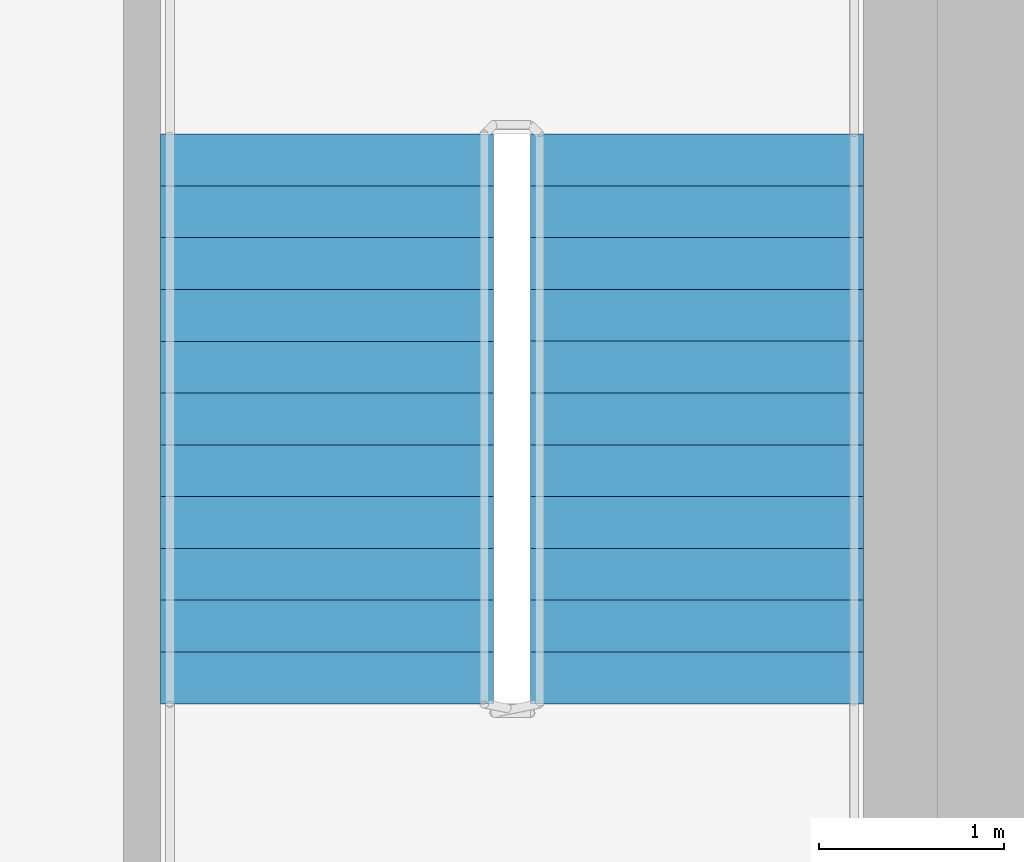
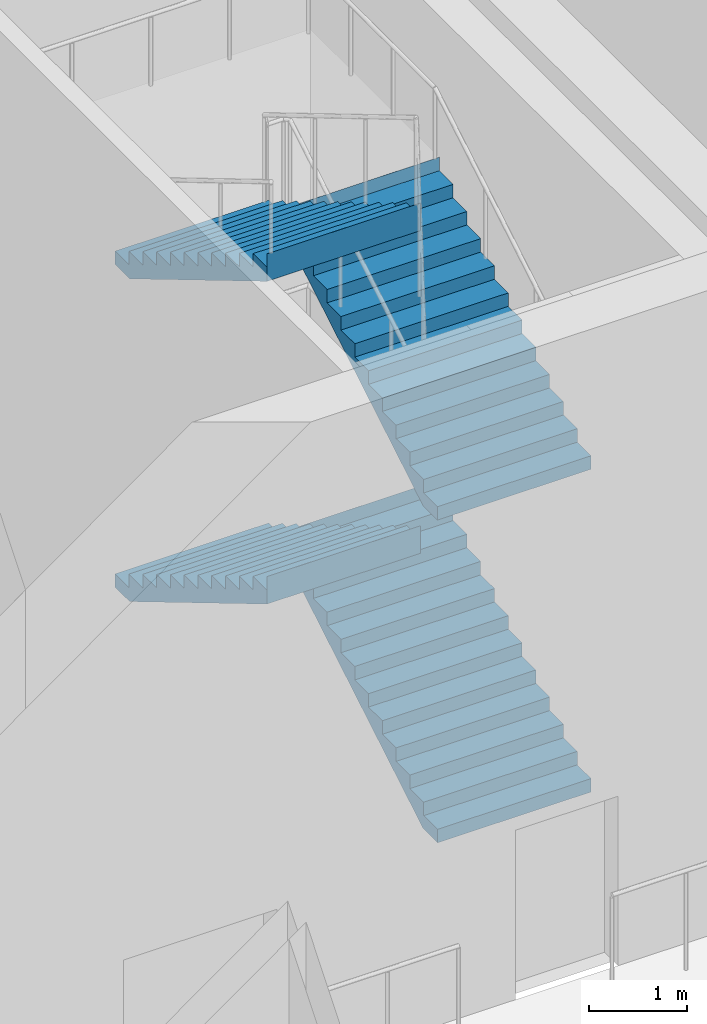
# One storey, part 5 of 11: 4 stair flights, 1 element without a shape of its own.
"""IFC4 building model written with IfcOpenShell, lengths in metres."""

from ifc_helpers import new_model, si_unit, direction, frame, origin, place, context, subcontext, project, spatial, polyline, outline, extrude, material, type_object, element, aggregate, save


model = new_model("IFC4")

# Units and contexts
model_context = context("Model", 3, precision=1e-05, world=origin(), true_north=direction((0.0, 1.0)))
body_context = subcontext(model_context, "Body", "Model", "MODEL_VIEW")
ifc_project = project(units=[si_unit("LENGTHUNIT", "METRE"), si_unit("AREAUNIT", "SQUARE_METRE"), si_unit("VOLUMEUNIT", "CUBIC_METRE"), si_unit("PLANEANGLEUNIT", "RADIAN"), si_unit("MASSUNIT", "GRAM", prefix="KILO")], contexts=[model_context])

# Site, building, storey
site_placement = place(None, origin())
site = spatial("IfcSite", under=ifc_project, at=site_placement, CompositionType="ELEMENT")
building_placement = place(site_placement, origin())
building = spatial("IfcBuilding", under=site, at=building_placement, Name="Tamorin Gate", CompositionType="ELEMENT")
storey_placement = place(building_placement, frame((0.0, 0.0, 258.199951171875)))
storey = spatial("IfcBuildingStorey", under=building, at=storey_placement, Name="L65", CompositionType="ELEMENT", Elevation=258.199951171875)

# Stair, stair flights
ifc_material = material(Name="Concrete C40/50", Category="concrete")
stair_type = type_object("IfcStairType", Name="Exit stair", PredefinedType="HALF_TURN_STAIR", material=ifc_material)
stair_placement = place(storey_placement, origin())
stair = element("IfcStair", 1, at=stair_placement, inside=storey, type_object=stair_type, Name="L65 stair ST3", PredefinedType="HALF_TURN_STAIR")
stair_flight_type = type_object("IfcStairFlightType", Name="Exit stair flight", PredefinedType="STRAIGHT", material=ifc_material)
stair_flight_1_placement = place(storey_placement, frame((58.10009765625, 62.800048828125, 0.0), z_axis=(0.0, 0.0, 1.0), x_axis=(0.0, 1.0, 0.0)))
stair_flight_1 = element("IfcStairFlight", 2, at=stair_flight_1_placement, type_object=stair_flight_type, Name="ST3 flight 1", NumberOfRisers=12, NumberOfTreads=11, PredefinedType="STRAIGHT", RiserHeight=0.166666667, TreadLength=0.28, context=body_context, shape_type="SweptSolid", body=[
    extrude(outline(polyline([(-0.00048828125, 0.0), (-0.00048828125, 0.001708984375), (-0.00048828125, 0.00341796875), (-0.00048828125, 0.0048828125), (-0.00048828125, 0.006591796875), (-0.00048828125, 0.00830078125), (-0.00048828125, 0.010009765625), (-0.00048828125, 0.011474609375), (-0.00048828125, 0.01318359375), (-0.00048828125, 0.014892578125), (-0.00048828125, 0.0166015625), (-0.00048828125, 0.01806640625), (-0.00048828125, 0.019775390625), (-0.00048828125, 0.021484375), (-0.00048828125, 0.023193359375), (-0.00048828125, 0.024658203125), (-0.00048828125, 0.0263671875), (-0.00048828125, 0.028076171875), (-0.00048828125, 0.02978515625), (-0.00048828125, 0.03125), (-0.00048828125, 0.032958984375), (-0.00048828125, 0.03466796875), (-0.00048828125, 0.036376953125), (-0.00048828125, 0.037841796875), (-0.00048828125, 0.03955078125), (-0.00048828125, 0.041259765625), (-0.00048828125, 0.04296875), (-0.00048828125, 0.04443359375), (-0.00048828125, 0.046142578125), (-0.00048828125, 0.0478515625), (-0.00048828125, 0.049560546875), (-0.00048828125, 0.05126953125), (-0.00048828125, 0.052734375), (-0.00048828125, 0.054443359375), (-0.00048828125, 0.05615234375), (-0.00048828125, 0.057861328125), (-0.00048828125, 0.059326171875), (-0.00048828125, 0.06103515625), (-0.00048828125, 0.062744140625), (-0.00048828125, 0.064453125), (-0.00048828125, 0.06591796875), (-0.00048828125, 0.067626953125), (-0.00048828125, 0.0693359375), (-0.00048828125, 0.071044921875), (-0.00048828125, 0.072509765625), (-0.00048828125, 0.07421875), (-0.00048828125, 0.075927734375), (-0.00048828125, 0.07763671875), (-0.00048828125, 0.0791015625), (-0.00048828125, 0.080810546875), (-0.00048828125, 0.08251953125), (-0.00048828125, 0.084228515625), (-0.00048828125, 0.085693359375), (-0.00048828125, 0.08740234375), (-0.00048828125, 0.089111328125), (-0.00048828125, 0.0908203125), (-0.00048828125, 0.092529296875), (-0.00048828125, 0.093994140625), (-0.00048828125, 0.095703125), (-0.00048828125, 0.097412109375), (-0.00048828125, 0.09912109375), (-0.00048828125, 0.1005859375), (-0.00048828125, 0.102294921875), (-0.00048828125, 0.10400390625), (-0.00048828125, 0.105712890625), (-0.00048828125, 0.107177734375), (-0.00048828125, 0.10888671875), (-0.00048828125, 0.110595703125), (-0.00048828125, 0.1123046875), (-0.00048828125, 0.11376953125), (-0.00048828125, 0.115478515625), (-0.00048828125, 0.1171875), (-0.00048828125, 0.118896484375), (-0.00048828125, 0.120361328125), (-0.00048828125, 0.1220703125), (-0.00048828125, 0.123779296875), (-0.00048828125, 0.12548828125), (-0.00048828125, 0.126953125), (-0.00048828125, 0.128662109375), (-0.00048828125, 0.13037109375), (-0.00048828125, 0.132080078125), (-0.00048828125, 0.133544921875), (-0.00048828125, 0.13525390625), (-0.00048828125, 0.136962890625), (-0.00048828125, 0.138671875), (-0.00048828125, 0.140380859375), (-0.00048828125, 0.141845703125), (-0.00048828125, 0.1435546875), (-0.00048828125, 0.145263671875), (-0.00048828125, 0.14697265625), (-0.00048828125, 0.1484375), (-0.00048828125, 0.150146484375), (-0.00048828125, 0.15185546875), (-0.00048828125, 0.153564453125), (-0.00048828125, 0.155029296875), (-0.00048828125, 0.15673828125), (-0.00048828125, 0.158447265625), (-0.00048828125, 0.16015625), (-0.00048828125, 0.16162109375), (-0.00048828125, 0.163330078125), (-0.00048828125, 0.1650390625), (-0.00048828125, 0.166748046875), (0.280029296875, 0.166748046875), (0.280029296875, 0.333251953125), (0.56005859375, 0.333251953125), (0.56005859375, 0.5), (0.840087890625, 0.5), (0.840087890625, 0.666748046875), (1.1201171875, 0.666748046875), (1.1201171875, 0.833251953125), (1.39990234375, 0.833251953125), (1.39990234375, 1.0), (1.679931640625, 1.0), (1.679931640625, 1.166748046875), (1.9599609375, 1.166748046875), (1.9599609375, 1.333251953125), (2.239990234375, 1.333251953125), (2.239990234375, 1.5), (2.52001953125, 1.5), (2.52001953125, 1.666748046875), (2.800048828125, 1.666748046875), (2.800048828125, 1.833251953125), (3.080078125, 1.833251953125), (3.080078125, 2.0), (3.08056640625, 2.0), (3.08056640625, 1.99658203125), (3.08056640625, 1.9931640625), (3.08056640625, 1.98974609375), (3.08056640625, 1.986572265625), (3.08056640625, 1.983154296875), (3.08056640625, 1.979736328125), (3.08056640625, 1.976318359375), (3.08056640625, 1.972900390625), (3.08056640625, 1.969482421875), (3.08056640625, 1.96630859375), (3.08056640625, 1.962890625), (3.08056640625, 1.95947265625), (3.08056640625, 1.9560546875), (3.08056640625, 1.95263671875), (3.08056640625, 1.94921875), (3.08056640625, 1.946044921875), (3.08056640625, 1.942626953125), (3.08056640625, 1.939208984375), (3.08056640625, 1.935791015625), (3.08056640625, 1.932373046875), (3.08056640625, 1.928955078125), (3.08056640625, 1.92578125), (3.08056640625, 1.92236328125), (3.08056640625, 1.9189453125), (3.08056640625, 1.91552734375), (3.08056640625, 1.912109375), (3.08056640625, 1.90869140625), (3.08056640625, 1.905517578125), (3.08056640625, 1.902099609375), (3.08056640625, 1.898681640625), (3.08056640625, 1.895263671875), (3.08056640625, 1.891845703125), (3.08056640625, 1.888427734375), (3.08056640625, 1.88525390625), (3.08056640625, 1.8818359375), (3.08056640625, 1.87841796875), (3.08056640625, 1.875), (3.08056640625, 1.87158203125), (3.08056640625, 1.8681640625), (3.08056640625, 1.864990234375), (3.08056640625, 1.861572265625), (3.08056640625, 1.858154296875), (3.08056640625, 1.854736328125), (3.08056640625, 1.851318359375), (3.08056640625, 1.847900390625), (3.08056640625, 1.8447265625), (3.08056640625, 1.84130859375), (3.08056640625, 1.837890625), (3.08056640625, 1.83447265625), (3.08056640625, 1.8310546875), (3.08056640625, 1.82763671875), (3.08056640625, 1.824462890625), (3.08056640625, 1.821044921875), (3.08056640625, 1.817626953125), (3.08056640625, 1.814208984375), (3.08056640625, 1.810791015625), (3.08056640625, 1.807373046875), (3.08056640625, 1.80419921875), (3.08056640625, 1.80078125), (3.08056640625, 1.79736328125), (3.08056640625, 1.7939453125), (3.08056640625, 1.79052734375), (3.08056640625, 1.787109375), (3.08056640625, 1.783935546875), (3.08056640625, 1.780517578125), (3.08056640625, 1.777099609375), (3.08056640625, 1.773681640625), (3.08056640625, 1.770263671875), (3.08056640625, 1.766845703125), (3.08056640625, 1.763671875), (3.08056640625, 1.76025390625), (3.08056640625, 1.7568359375), (3.08056640625, 1.75341796875), (3.08056640625, 1.75), (3.08056640625, 1.74658203125), (3.08056640625, 1.743408203125), (3.08056640625, 1.739990234375), (3.08056640625, 1.736572265625), (3.08056640625, 1.733154296875), (3.08056640625, 1.729736328125), (3.08056640625, 1.726318359375), (3.08056640625, 1.72314453125), (3.08056640625, 1.7197265625), (3.08056640625, 1.71630859375), (3.08056640625, 1.712890625), (3.08056640625, 1.70947265625), (3.08056640625, 1.7060546875), (3.08056640625, 1.702880859375), (3.08056640625, 1.699462890625), (3.08056640625, 1.696044921875), (3.08056640625, 1.692626953125), (3.08056640625, 1.689208984375), (3.08056640625, 1.685791015625), (3.08056640625, 1.6826171875), (3.08056640625, 1.67919921875), (3.08056640625, 1.67578125), (3.08056640625, 1.67236328125), (3.08056640625, 1.6689453125), (3.08056640625, 1.66552734375), (3.08056640625, 1.662353515625), (3.08056640625, 1.658935546875), (3.080078125, 1.658935546875), (0.29296875, 0.0), (-0.00048828125, 0.0)])), frame((0.0, 0.89990234375, 0.0), z_axis=(0.0, -1.0, 0.0), x_axis=(1.0, 0.0, 0.0)), (0.0, 0.0, 1.0), 1.800048828125),
])
stair_flight_2_placement = place(storey_placement, frame((56.10009765625, 65.8798828125, 2.0), z_axis=(0.0, 0.0, 1.0), x_axis=(0.0, -1.0, 0.0)))
stair_flight_2 = element("IfcStairFlight", 3, at=stair_flight_2_placement, type_object=stair_flight_type, Name="ST3 flight 2", NumberOfRisers=12, NumberOfTreads=11, PredefinedType="STRAIGHT", RiserHeight=0.166666667, TreadLength=0.28, context=body_context, shape_type="SweptSolid", body=[
    extrude(outline(polyline([(-0.00048828125, 0.0), (-0.00048828125, 0.001708984375), (-0.00048828125, 0.00341796875), (-0.00048828125, 0.0048828125), (-0.00048828125, 0.006591796875), (-0.00048828125, 0.00830078125), (-0.00048828125, 0.010009765625), (-0.00048828125, 0.011474609375), (-0.00048828125, 0.01318359375), (-0.00048828125, 0.014892578125), (-0.00048828125, 0.0166015625), (-0.00048828125, 0.01806640625), (-0.00048828125, 0.019775390625), (-0.00048828125, 0.021484375), (-0.00048828125, 0.023193359375), (-0.00048828125, 0.024658203125), (-0.00048828125, 0.0263671875), (-0.00048828125, 0.028076171875), (-0.00048828125, 0.02978515625), (-0.00048828125, 0.03125), (-0.00048828125, 0.032958984375), (-0.00048828125, 0.03466796875), (-0.00048828125, 0.036376953125), (-0.00048828125, 0.037841796875), (-0.00048828125, 0.03955078125), (-0.00048828125, 0.041259765625), (-0.00048828125, 0.04296875), (-0.00048828125, 0.04443359375), (-0.00048828125, 0.046142578125), (-0.00048828125, 0.0478515625), (-0.00048828125, 0.049560546875), (-0.00048828125, 0.05126953125), (-0.00048828125, 0.052734375), (-0.00048828125, 0.054443359375), (-0.00048828125, 0.05615234375), (-0.00048828125, 0.057861328125), (-0.00048828125, 0.059326171875), (-0.00048828125, 0.06103515625), (-0.00048828125, 0.062744140625), (-0.00048828125, 0.064453125), (-0.00048828125, 0.06591796875), (-0.00048828125, 0.067626953125), (-0.00048828125, 0.0693359375), (-0.00048828125, 0.071044921875), (-0.00048828125, 0.072509765625), (-0.00048828125, 0.07421875), (-0.00048828125, 0.075927734375), (-0.00048828125, 0.07763671875), (-0.00048828125, 0.0791015625), (-0.00048828125, 0.080810546875), (-0.00048828125, 0.08251953125), (-0.00048828125, 0.084228515625), (-0.00048828125, 0.085693359375), (-0.00048828125, 0.08740234375), (-0.00048828125, 0.089111328125), (-0.00048828125, 0.0908203125), (-0.00048828125, 0.092529296875), (-0.00048828125, 0.093994140625), (-0.00048828125, 0.095703125), (-0.00048828125, 0.097412109375), (-0.00048828125, 0.09912109375), (-0.00048828125, 0.1005859375), (-0.00048828125, 0.102294921875), (-0.00048828125, 0.10400390625), (-0.00048828125, 0.105712890625), (-0.00048828125, 0.107177734375), (-0.00048828125, 0.10888671875), (-0.00048828125, 0.110595703125), (-0.00048828125, 0.1123046875), (-0.00048828125, 0.11376953125), (-0.00048828125, 0.115478515625), (-0.00048828125, 0.1171875), (-0.00048828125, 0.118896484375), (-0.00048828125, 0.120361328125), (-0.00048828125, 0.1220703125), (-0.00048828125, 0.123779296875), (-0.00048828125, 0.12548828125), (-0.00048828125, 0.126953125), (-0.00048828125, 0.128662109375), (-0.00048828125, 0.13037109375), (-0.00048828125, 0.132080078125), (-0.00048828125, 0.133544921875), (-0.00048828125, 0.13525390625), (-0.00048828125, 0.136962890625), (-0.00048828125, 0.138671875), (-0.00048828125, 0.140380859375), (-0.00048828125, 0.141845703125), (-0.00048828125, 0.1435546875), (-0.00048828125, 0.145263671875), (-0.00048828125, 0.14697265625), (-0.00048828125, 0.1484375), (-0.00048828125, 0.150146484375), (-0.00048828125, 0.15185546875), (-0.00048828125, 0.153564453125), (-0.00048828125, 0.155029296875), (-0.00048828125, 0.15673828125), (-0.00048828125, 0.158447265625), (-0.00048828125, 0.16015625), (-0.00048828125, 0.16162109375), (-0.00048828125, 0.163330078125), (-0.00048828125, 0.1650390625), (-0.00048828125, 0.166748046875), (0.280029296875, 0.166748046875), (0.280029296875, 0.333251953125), (0.56005859375, 0.333251953125), (0.56005859375, 0.5), (0.840087890625, 0.5), (0.840087890625, 0.666748046875), (1.1201171875, 0.666748046875), (1.1201171875, 0.833251953125), (1.39990234375, 0.833251953125), (1.39990234375, 1.0), (1.679931640625, 1.0), (1.679931640625, 1.166748046875), (1.9599609375, 1.166748046875), (1.9599609375, 1.333251953125), (2.239990234375, 1.333251953125), (2.239990234375, 1.5), (2.52001953125, 1.5), (2.52001953125, 1.666748046875), (2.800048828125, 1.666748046875), (2.800048828125, 1.833251953125), (3.080078125, 1.833251953125), (3.080078125, 2.0), (3.08056640625, 2.0), (3.08056640625, 1.99658203125), (3.08056640625, 1.9931640625), (3.08056640625, 1.98974609375), (3.08056640625, 1.986572265625), (3.08056640625, 1.983154296875), (3.08056640625, 1.979736328125), (3.08056640625, 1.976318359375), (3.08056640625, 1.972900390625), (3.08056640625, 1.969482421875), (3.08056640625, 1.96630859375), (3.08056640625, 1.962890625), (3.08056640625, 1.95947265625), (3.08056640625, 1.9560546875), (3.08056640625, 1.95263671875), (3.08056640625, 1.94921875), (3.08056640625, 1.946044921875), (3.08056640625, 1.942626953125), (3.08056640625, 1.939208984375), (3.08056640625, 1.935791015625), (3.08056640625, 1.932373046875), (3.08056640625, 1.928955078125), (3.08056640625, 1.92578125), (3.08056640625, 1.92236328125), (3.08056640625, 1.9189453125), (3.08056640625, 1.91552734375), (3.08056640625, 1.912109375), (3.08056640625, 1.90869140625), (3.08056640625, 1.905517578125), (3.08056640625, 1.902099609375), (3.08056640625, 1.898681640625), (3.08056640625, 1.895263671875), (3.08056640625, 1.891845703125), (3.08056640625, 1.888427734375), (3.08056640625, 1.88525390625), (3.08056640625, 1.8818359375), (3.08056640625, 1.87841796875), (3.08056640625, 1.875), (3.08056640625, 1.87158203125), (3.08056640625, 1.8681640625), (3.08056640625, 1.864990234375), (3.08056640625, 1.861572265625), (3.08056640625, 1.858154296875), (3.08056640625, 1.854736328125), (3.08056640625, 1.851318359375), (3.08056640625, 1.847900390625), (3.08056640625, 1.8447265625), (3.08056640625, 1.84130859375), (3.08056640625, 1.837890625), (3.08056640625, 1.83447265625), (3.08056640625, 1.8310546875), (3.08056640625, 1.82763671875), (3.08056640625, 1.824462890625), (3.08056640625, 1.821044921875), (3.08056640625, 1.817626953125), (3.08056640625, 1.814208984375), (3.08056640625, 1.810791015625), (3.08056640625, 1.807373046875), (3.08056640625, 1.80419921875), (3.08056640625, 1.80078125), (3.08056640625, 1.79736328125), (3.08056640625, 1.7939453125), (3.08056640625, 1.79052734375), (3.08056640625, 1.787109375), (3.08056640625, 1.783935546875), (3.08056640625, 1.780517578125), (3.08056640625, 1.777099609375), (3.08056640625, 1.773681640625), (3.08056640625, 1.770263671875), (3.08056640625, 1.766845703125), (3.08056640625, 1.763671875), (3.08056640625, 1.76025390625), (3.08056640625, 1.7568359375), (3.08056640625, 1.75341796875), (3.08056640625, 1.75), (3.08056640625, 1.74658203125), (3.08056640625, 1.743408203125), (3.08056640625, 1.739990234375), (3.08056640625, 1.736572265625), (3.08056640625, 1.733154296875), (3.08056640625, 1.729736328125), (3.08056640625, 1.726318359375), (3.08056640625, 1.72314453125), (3.08056640625, 1.7197265625), (3.08056640625, 1.71630859375), (3.08056640625, 1.712890625), (3.08056640625, 1.70947265625), (3.08056640625, 1.7060546875), (3.08056640625, 1.702880859375), (3.08056640625, 1.699462890625), (3.08056640625, 1.696044921875), (3.08056640625, 1.692626953125), (3.08056640625, 1.689208984375), (3.08056640625, 1.685791015625), (3.08056640625, 1.6826171875), (3.08056640625, 1.67919921875), (3.08056640625, 1.67578125), (3.08056640625, 1.67236328125), (3.08056640625, 1.6689453125), (3.08056640625, 1.66552734375), (3.08056640625, 1.662353515625), (3.08056640625, 1.658935546875), (3.080078125, 1.658935546875), (0.29296875, 0.0), (-0.00048828125, 0.0)])), frame((0.0, 0.89990234375, 0.0), z_axis=(0.0, -1.0, 0.0), x_axis=(1.0, 0.0, 0.0)), (0.0, 0.0, 1.0), 1.800048828125),
])
stair_flight_3_placement = place(storey_placement, frame((58.10009765625, 62.800048828125, 4.0), z_axis=(0.0, 0.0, 1.0), x_axis=(0.0, 1.0, 0.0)))
stair_flight_3 = element("IfcStairFlight", 4, at=stair_flight_3_placement, type_object=stair_flight_type, Name="ST3 flight 3", NumberOfRisers=12, NumberOfTreads=11, PredefinedType="STRAIGHT", RiserHeight=0.166666667, TreadLength=0.28, context=body_context, shape_type="SweptSolid", body=[
    extrude(outline(polyline([(-0.00048828125, 0.0), (-0.00048828125, 0.001708984375), (-0.00048828125, 0.00341796875), (-0.00048828125, 0.0048828125), (-0.00048828125, 0.006591796875), (-0.00048828125, 0.00830078125), (-0.00048828125, 0.010009765625), (-0.00048828125, 0.011474609375), (-0.00048828125, 0.01318359375), (-0.00048828125, 0.014892578125), (-0.00048828125, 0.0166015625), (-0.00048828125, 0.01806640625), (-0.00048828125, 0.019775390625), (-0.00048828125, 0.021484375), (-0.00048828125, 0.023193359375), (-0.00048828125, 0.024658203125), (-0.00048828125, 0.0263671875), (-0.00048828125, 0.028076171875), (-0.00048828125, 0.02978515625), (-0.00048828125, 0.03125), (-0.00048828125, 0.032958984375), (-0.00048828125, 0.03466796875), (-0.00048828125, 0.036376953125), (-0.00048828125, 0.037841796875), (-0.00048828125, 0.03955078125), (-0.00048828125, 0.041259765625), (-0.00048828125, 0.04296875), (-0.00048828125, 0.04443359375), (-0.00048828125, 0.046142578125), (-0.00048828125, 0.0478515625), (-0.00048828125, 0.049560546875), (-0.00048828125, 0.05126953125), (-0.00048828125, 0.052734375), (-0.00048828125, 0.054443359375), (-0.00048828125, 0.05615234375), (-0.00048828125, 0.057861328125), (-0.00048828125, 0.059326171875), (-0.00048828125, 0.06103515625), (-0.00048828125, 0.062744140625), (-0.00048828125, 0.064453125), (-0.00048828125, 0.06591796875), (-0.00048828125, 0.067626953125), (-0.00048828125, 0.0693359375), (-0.00048828125, 0.071044921875), (-0.00048828125, 0.072509765625), (-0.00048828125, 0.07421875), (-0.00048828125, 0.075927734375), (-0.00048828125, 0.07763671875), (-0.00048828125, 0.0791015625), (-0.00048828125, 0.080810546875), (-0.00048828125, 0.08251953125), (-0.00048828125, 0.084228515625), (-0.00048828125, 0.085693359375), (-0.00048828125, 0.08740234375), (-0.00048828125, 0.089111328125), (-0.00048828125, 0.0908203125), (-0.00048828125, 0.092529296875), (-0.00048828125, 0.093994140625), (-0.00048828125, 0.095703125), (-0.00048828125, 0.097412109375), (-0.00048828125, 0.09912109375), (-0.00048828125, 0.1005859375), (-0.00048828125, 0.102294921875), (-0.00048828125, 0.10400390625), (-0.00048828125, 0.105712890625), (-0.00048828125, 0.107177734375), (-0.00048828125, 0.10888671875), (-0.00048828125, 0.110595703125), (-0.00048828125, 0.1123046875), (-0.00048828125, 0.11376953125), (-0.00048828125, 0.115478515625), (-0.00048828125, 0.1171875), (-0.00048828125, 0.118896484375), (-0.00048828125, 0.120361328125), (-0.00048828125, 0.1220703125), (-0.00048828125, 0.123779296875), (-0.00048828125, 0.12548828125), (-0.00048828125, 0.126953125), (-0.00048828125, 0.128662109375), (-0.00048828125, 0.13037109375), (-0.00048828125, 0.132080078125), (-0.00048828125, 0.133544921875), (-0.00048828125, 0.13525390625), (-0.00048828125, 0.136962890625), (-0.00048828125, 0.138671875), (-0.00048828125, 0.140380859375), (-0.00048828125, 0.141845703125), (-0.00048828125, 0.1435546875), (-0.00048828125, 0.145263671875), (-0.00048828125, 0.14697265625), (-0.00048828125, 0.1484375), (-0.00048828125, 0.150146484375), (-0.00048828125, 0.15185546875), (-0.00048828125, 0.153564453125), (-0.00048828125, 0.155029296875), (-0.00048828125, 0.15673828125), (-0.00048828125, 0.158447265625), (-0.00048828125, 0.16015625), (-0.00048828125, 0.16162109375), (-0.00048828125, 0.163330078125), (-0.00048828125, 0.1650390625), (-0.00048828125, 0.166748046875), (0.280029296875, 0.166748046875), (0.280029296875, 0.333251953125), (0.56005859375, 0.333251953125), (0.56005859375, 0.5), (0.840087890625, 0.5), (0.840087890625, 0.666748046875), (1.1201171875, 0.666748046875), (1.1201171875, 0.833251953125), (1.39990234375, 0.833251953125), (1.39990234375, 1.0), (1.679931640625, 1.0), (1.679931640625, 1.166748046875), (1.9599609375, 1.166748046875), (1.9599609375, 1.333251953125), (2.239990234375, 1.333251953125), (2.239990234375, 1.5), (2.52001953125, 1.5), (2.52001953125, 1.666748046875), (2.800048828125, 1.666748046875), (2.800048828125, 1.833251953125), (3.080078125, 1.833251953125), (3.080078125, 2.0), (3.08056640625, 2.0), (3.08056640625, 1.99658203125), (3.08056640625, 1.9931640625), (3.08056640625, 1.98974609375), (3.08056640625, 1.986572265625), (3.08056640625, 1.983154296875), (3.08056640625, 1.979736328125), (3.08056640625, 1.976318359375), (3.08056640625, 1.972900390625), (3.08056640625, 1.969482421875), (3.08056640625, 1.96630859375), (3.08056640625, 1.962890625), (3.08056640625, 1.95947265625), (3.08056640625, 1.9560546875), (3.08056640625, 1.95263671875), (3.08056640625, 1.94921875), (3.08056640625, 1.946044921875), (3.08056640625, 1.942626953125), (3.08056640625, 1.939208984375), (3.08056640625, 1.935791015625), (3.08056640625, 1.932373046875), (3.08056640625, 1.928955078125), (3.08056640625, 1.92578125), (3.08056640625, 1.92236328125), (3.08056640625, 1.9189453125), (3.08056640625, 1.91552734375), (3.08056640625, 1.912109375), (3.08056640625, 1.90869140625), (3.08056640625, 1.905517578125), (3.08056640625, 1.902099609375), (3.08056640625, 1.898681640625), (3.08056640625, 1.895263671875), (3.08056640625, 1.891845703125), (3.08056640625, 1.888427734375), (3.08056640625, 1.88525390625), (3.08056640625, 1.8818359375), (3.08056640625, 1.87841796875), (3.08056640625, 1.875), (3.08056640625, 1.87158203125), (3.08056640625, 1.8681640625), (3.08056640625, 1.864990234375), (3.08056640625, 1.861572265625), (3.08056640625, 1.858154296875), (3.08056640625, 1.854736328125), (3.08056640625, 1.851318359375), (3.08056640625, 1.847900390625), (3.08056640625, 1.8447265625), (3.08056640625, 1.84130859375), (3.08056640625, 1.837890625), (3.08056640625, 1.83447265625), (3.08056640625, 1.8310546875), (3.08056640625, 1.82763671875), (3.08056640625, 1.824462890625), (3.08056640625, 1.821044921875), (3.08056640625, 1.817626953125), (3.08056640625, 1.814208984375), (3.08056640625, 1.810791015625), (3.08056640625, 1.807373046875), (3.08056640625, 1.80419921875), (3.08056640625, 1.80078125), (3.08056640625, 1.79736328125), (3.08056640625, 1.7939453125), (3.08056640625, 1.79052734375), (3.08056640625, 1.787109375), (3.08056640625, 1.783935546875), (3.08056640625, 1.780517578125), (3.08056640625, 1.777099609375), (3.08056640625, 1.773681640625), (3.08056640625, 1.770263671875), (3.08056640625, 1.766845703125), (3.08056640625, 1.763671875), (3.08056640625, 1.76025390625), (3.08056640625, 1.7568359375), (3.08056640625, 1.75341796875), (3.08056640625, 1.75), (3.08056640625, 1.74658203125), (3.08056640625, 1.743408203125), (3.08056640625, 1.739990234375), (3.08056640625, 1.736572265625), (3.08056640625, 1.733154296875), (3.08056640625, 1.729736328125), (3.08056640625, 1.726318359375), (3.08056640625, 1.72314453125), (3.08056640625, 1.7197265625), (3.08056640625, 1.71630859375), (3.08056640625, 1.712890625), (3.08056640625, 1.70947265625), (3.08056640625, 1.7060546875), (3.08056640625, 1.702880859375), (3.08056640625, 1.699462890625), (3.08056640625, 1.696044921875), (3.08056640625, 1.692626953125), (3.08056640625, 1.689208984375), (3.08056640625, 1.685791015625), (3.08056640625, 1.6826171875), (3.08056640625, 1.67919921875), (3.08056640625, 1.67578125), (3.08056640625, 1.67236328125), (3.08056640625, 1.6689453125), (3.08056640625, 1.66552734375), (3.08056640625, 1.662353515625), (3.08056640625, 1.658935546875), (3.080078125, 1.658935546875), (0.29296875, 0.0), (-0.00048828125, 0.0)])), frame((0.0, 0.89990234375, 0.0), z_axis=(0.0, -1.0, 0.0), x_axis=(1.0, 0.0, 0.0)), (0.0, 0.0, 1.0), 1.800048828125),
])
stair_flight_4_placement = place(storey_placement, frame((56.10009765625, 65.8798828125, 6.0), z_axis=(0.0, 0.0, 1.0), x_axis=(0.0, -1.0, 0.0)))
stair_flight_4 = element("IfcStairFlight", 5, at=stair_flight_4_placement, type_object=stair_flight_type, Name="ST3 flight 4", NumberOfRisers=12, NumberOfTreads=11, PredefinedType="STRAIGHT", RiserHeight=0.166666667, TreadLength=0.28, context=body_context, shape_type="SweptSolid", body=[
    extrude(outline(polyline([(-0.00048828125, 0.0), (-0.00048828125, 0.001708984375), (-0.00048828125, 0.00341796875), (-0.00048828125, 0.0048828125), (-0.00048828125, 0.006591796875), (-0.00048828125, 0.00830078125), (-0.00048828125, 0.010009765625), (-0.00048828125, 0.011474609375), (-0.00048828125, 0.01318359375), (-0.00048828125, 0.014892578125), (-0.00048828125, 0.0166015625), (-0.00048828125, 0.01806640625), (-0.00048828125, 0.019775390625), (-0.00048828125, 0.021484375), (-0.00048828125, 0.023193359375), (-0.00048828125, 0.024658203125), (-0.00048828125, 0.0263671875), (-0.00048828125, 0.028076171875), (-0.00048828125, 0.02978515625), (-0.00048828125, 0.03125), (-0.00048828125, 0.032958984375), (-0.00048828125, 0.03466796875), (-0.00048828125, 0.036376953125), (-0.00048828125, 0.037841796875), (-0.00048828125, 0.03955078125), (-0.00048828125, 0.041259765625), (-0.00048828125, 0.04296875), (-0.00048828125, 0.04443359375), (-0.00048828125, 0.046142578125), (-0.00048828125, 0.0478515625), (-0.00048828125, 0.049560546875), (-0.00048828125, 0.05126953125), (-0.00048828125, 0.052734375), (-0.00048828125, 0.054443359375), (-0.00048828125, 0.05615234375), (-0.00048828125, 0.057861328125), (-0.00048828125, 0.059326171875), (-0.00048828125, 0.06103515625), (-0.00048828125, 0.062744140625), (-0.00048828125, 0.064453125), (-0.00048828125, 0.06591796875), (-0.00048828125, 0.067626953125), (-0.00048828125, 0.0693359375), (-0.00048828125, 0.071044921875), (-0.00048828125, 0.072509765625), (-0.00048828125, 0.07421875), (-0.00048828125, 0.075927734375), (-0.00048828125, 0.07763671875), (-0.00048828125, 0.0791015625), (-0.00048828125, 0.080810546875), (-0.00048828125, 0.08251953125), (-0.00048828125, 0.084228515625), (-0.00048828125, 0.085693359375), (-0.00048828125, 0.08740234375), (-0.00048828125, 0.089111328125), (-0.00048828125, 0.0908203125), (-0.00048828125, 0.092529296875), (-0.00048828125, 0.093994140625), (-0.00048828125, 0.095703125), (-0.00048828125, 0.097412109375), (-0.00048828125, 0.09912109375), (-0.00048828125, 0.1005859375), (-0.00048828125, 0.102294921875), (-0.00048828125, 0.10400390625), (-0.00048828125, 0.105712890625), (-0.00048828125, 0.107177734375), (-0.00048828125, 0.10888671875), (-0.00048828125, 0.110595703125), (-0.00048828125, 0.1123046875), (-0.00048828125, 0.11376953125), (-0.00048828125, 0.115478515625), (-0.00048828125, 0.1171875), (-0.00048828125, 0.118896484375), (-0.00048828125, 0.120361328125), (-0.00048828125, 0.1220703125), (-0.00048828125, 0.123779296875), (-0.00048828125, 0.12548828125), (-0.00048828125, 0.126953125), (-0.00048828125, 0.128662109375), (-0.00048828125, 0.13037109375), (-0.00048828125, 0.132080078125), (-0.00048828125, 0.133544921875), (-0.00048828125, 0.13525390625), (-0.00048828125, 0.136962890625), (-0.00048828125, 0.138671875), (-0.00048828125, 0.140380859375), (-0.00048828125, 0.141845703125), (-0.00048828125, 0.1435546875), (-0.00048828125, 0.145263671875), (-0.00048828125, 0.14697265625), (-0.00048828125, 0.1484375), (-0.00048828125, 0.150146484375), (-0.00048828125, 0.15185546875), (-0.00048828125, 0.153564453125), (-0.00048828125, 0.155029296875), (-0.00048828125, 0.15673828125), (-0.00048828125, 0.158447265625), (-0.00048828125, 0.16015625), (-0.00048828125, 0.16162109375), (-0.00048828125, 0.163330078125), (-0.00048828125, 0.1650390625), (-0.00048828125, 0.166748046875), (0.280029296875, 0.166748046875), (0.280029296875, 0.333251953125), (0.56005859375, 0.333251953125), (0.56005859375, 0.5), (0.840087890625, 0.5), (0.840087890625, 0.666748046875), (1.1201171875, 0.666748046875), (1.1201171875, 0.833251953125), (1.39990234375, 0.833251953125), (1.39990234375, 1.0), (1.679931640625, 1.0), (1.679931640625, 1.166748046875), (1.9599609375, 1.166748046875), (1.9599609375, 1.333251953125), (2.239990234375, 1.333251953125), (2.239990234375, 1.5), (2.52001953125, 1.5), (2.52001953125, 1.666748046875), (2.800048828125, 1.666748046875), (2.800048828125, 1.833251953125), (3.080078125, 1.833251953125), (3.080078125, 2.0), (3.08056640625, 2.0), (3.08056640625, 1.99658203125), (3.08056640625, 1.9931640625), (3.08056640625, 1.98974609375), (3.08056640625, 1.986572265625), (3.08056640625, 1.983154296875), (3.08056640625, 1.979736328125), (3.08056640625, 1.976318359375), (3.08056640625, 1.972900390625), (3.08056640625, 1.969482421875), (3.08056640625, 1.96630859375), (3.08056640625, 1.962890625), (3.08056640625, 1.95947265625), (3.08056640625, 1.9560546875), (3.08056640625, 1.95263671875), (3.08056640625, 1.94921875), (3.08056640625, 1.946044921875), (3.08056640625, 1.942626953125), (3.08056640625, 1.939208984375), (3.08056640625, 1.935791015625), (3.08056640625, 1.932373046875), (3.08056640625, 1.928955078125), (3.08056640625, 1.92578125), (3.08056640625, 1.92236328125), (3.08056640625, 1.9189453125), (3.08056640625, 1.91552734375), (3.08056640625, 1.912109375), (3.08056640625, 1.90869140625), (3.08056640625, 1.905517578125), (3.08056640625, 1.902099609375), (3.08056640625, 1.898681640625), (3.08056640625, 1.895263671875), (3.08056640625, 1.891845703125), (3.08056640625, 1.888427734375), (3.08056640625, 1.88525390625), (3.08056640625, 1.8818359375), (3.08056640625, 1.87841796875), (3.08056640625, 1.875), (3.08056640625, 1.87158203125), (3.08056640625, 1.8681640625), (3.08056640625, 1.864990234375), (3.08056640625, 1.861572265625), (3.08056640625, 1.858154296875), (3.08056640625, 1.854736328125), (3.08056640625, 1.851318359375), (3.08056640625, 1.847900390625), (3.08056640625, 1.8447265625), (3.08056640625, 1.84130859375), (3.08056640625, 1.837890625), (3.08056640625, 1.83447265625), (3.08056640625, 1.8310546875), (3.08056640625, 1.82763671875), (3.08056640625, 1.824462890625), (3.08056640625, 1.821044921875), (3.08056640625, 1.817626953125), (3.08056640625, 1.814208984375), (3.08056640625, 1.810791015625), (3.08056640625, 1.807373046875), (3.08056640625, 1.80419921875), (3.08056640625, 1.80078125), (3.08056640625, 1.79736328125), (3.08056640625, 1.7939453125), (3.08056640625, 1.79052734375), (3.08056640625, 1.787109375), (3.08056640625, 1.783935546875), (3.08056640625, 1.780517578125), (3.08056640625, 1.777099609375), (3.08056640625, 1.773681640625), (3.08056640625, 1.770263671875), (3.08056640625, 1.766845703125), (3.08056640625, 1.763671875), (3.08056640625, 1.76025390625), (3.08056640625, 1.7568359375), (3.08056640625, 1.75341796875), (3.08056640625, 1.75), (3.08056640625, 1.74658203125), (3.08056640625, 1.743408203125), (3.08056640625, 1.739990234375), (3.08056640625, 1.736572265625), (3.08056640625, 1.733154296875), (3.08056640625, 1.729736328125), (3.08056640625, 1.726318359375), (3.08056640625, 1.72314453125), (3.08056640625, 1.7197265625), (3.08056640625, 1.71630859375), (3.08056640625, 1.712890625), (3.08056640625, 1.70947265625), (3.08056640625, 1.7060546875), (3.08056640625, 1.702880859375), (3.08056640625, 1.699462890625), (3.08056640625, 1.696044921875), (3.08056640625, 1.692626953125), (3.08056640625, 1.689208984375), (3.08056640625, 1.685791015625), (3.08056640625, 1.6826171875), (3.08056640625, 1.67919921875), (3.08056640625, 1.67578125), (3.08056640625, 1.67236328125), (3.08056640625, 1.6689453125), (3.08056640625, 1.66552734375), (3.08056640625, 1.662353515625), (3.08056640625, 1.658935546875), (3.080078125, 1.658935546875), (0.29296875, 0.0), (-0.00048828125, 0.0)])), frame((0.0, 0.89990234375, 0.0), z_axis=(0.0, -1.0, 0.0), x_axis=(1.0, 0.0, 0.0)), (0.0, 0.0, 1.0), 1.800048828125),
])
aggregate(stair, [stair_flight_1, stair_flight_2, stair_flight_3, stair_flight_4])

save(model, "model.ifc")
